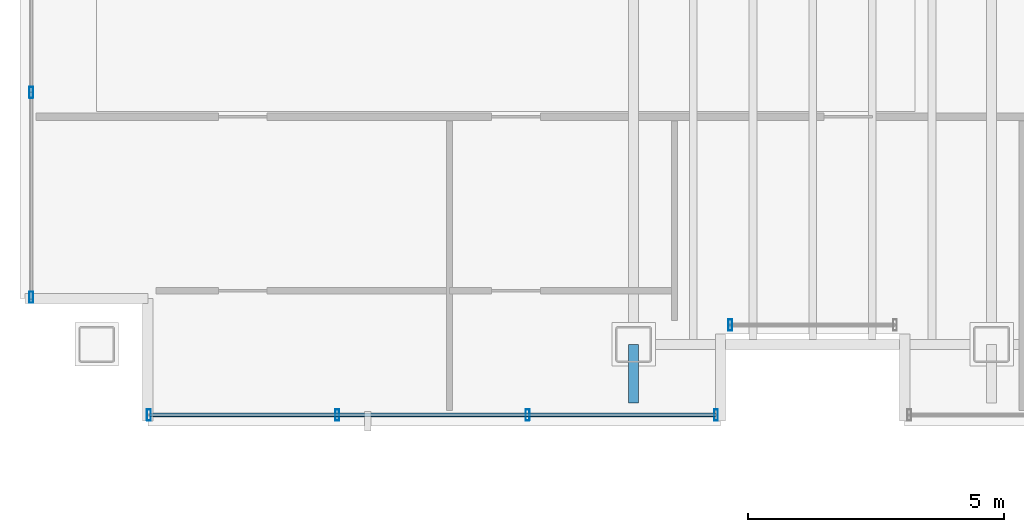
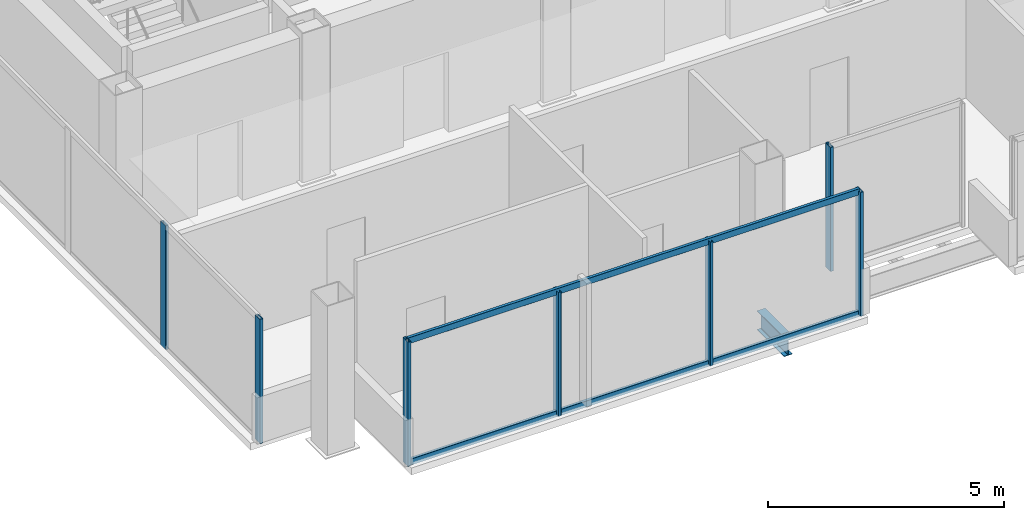
# One storey, part 2 of 17: 9 members, 1 beam, 3 elements without a shape of their own.
"""IFC4 building model written with IfcOpenShell, lengths in metres."""

from ifc_helpers import new_model, si_unit, direction, frame, origin, origin_2d, place, context, subcontext, project, spatial, hollow_rectangle, i_section, extrude, material, material_profile, profile_set, type_object, element, aggregate, save


model = new_model("IFC4")

# Units and contexts
model_context = context("Model", 3, precision=1e-05, world=origin(), true_north=direction((0.0, 1.0)))
body_context = subcontext(model_context, "Body", "Model", "MODEL_VIEW")
ifc_project = project(units=[si_unit("LENGTHUNIT", "METRE"), si_unit("AREAUNIT", "SQUARE_METRE"), si_unit("VOLUMEUNIT", "CUBIC_METRE"), si_unit("PLANEANGLEUNIT", "RADIAN"), si_unit("MASSUNIT", "GRAM", prefix="KILO")], contexts=[model_context])

# Site, building, storey
site_placement = place(None, origin())
site = spatial("IfcSite", under=ifc_project, at=site_placement, CompositionType="ELEMENT")
building_placement = place(site_placement, origin())
building = spatial("IfcBuilding", under=site, at=building_placement, Name="Noeulbin Bourse Tower", CompositionType="ELEMENT")
storey_placement = place(building_placement, frame((0.0, 0.0, 293.0)))
storey = spatial("IfcBuildingStorey", under=building, at=storey_placement, Name="L73", CompositionType="ELEMENT", Elevation=293.0)

# Beam
ifc_material_1 = material(Name="Steel S355", Category="steel")
ifc_material_profile_1 = material_profile(ifc_material_1, i_section(OverallWidth=0.199951171875, OverallDepth=0.5, WebThickness=0.010009765625, FlangeThickness=0.01611328125, FilletRadius=0.02001953125, at=origin_2d()), Name="H-500x200x10x16", Category="LoadBearing")
ifc_profile_set_1 = profile_set([ifc_material_profile_1], Name="Steel S355")
beam_type = type_object("IfcBeamType", Name="BM-GRD-500", PredefinedType="USERDEFINED", material=ifc_profile_set_1)
beam_placement = place(storey_placement, frame((24.0, 18.85009765625, -0.429931640625), z_axis=(0.0, 1.0, 0.0), x_axis=(-1.0, 0.0, 0.0)))
element("IfcBeam", 1, at=beam_placement, inside=storey, type_object=beam_type, Name="Tower Primary Girder NS L73-2.1", ObjectType="GIRDER", PredefinedType="USERDEFINED", context=body_context, shape_type="SweptSolid", body=[
    extrude(i_section(OverallWidth=0.199951171875, OverallDepth=0.5, WebThickness=0.010009765625, FlangeThickness=0.01611328125, FilletRadius=0.02001953125, at=origin_2d()), origin(), (0.0, 0.0, 1.0), 1.14990234375),
])

# Curtain wall, member
ifc_material_2 = material(Name="High-Selectivity Low-Iron Glazing", Category="glass")
curtain_wall_type = type_object("IfcCurtainWallType", Name="CW-SYS-4", PredefinedType="NOTDEFINED", material=ifc_material_2)
curtain_wall_1_placement = place(storey_placement, origin())
curtain_wall_1 = element("IfcCurtainWall", 2, at=curtain_wall_1_placement, inside=storey, type_object=curtain_wall_type, Name="Unitised Curtain Wall CW-L73-SREC", PredefinedType="NOTDEFINED")
ifc_material_3 = material(Name="Anodised Aluminium 6063-T6", Category="aluminium")
ifc_material_profile_2 = material_profile(ifc_material_3, hollow_rectangle(XDim=0.074951171875, YDim=0.219970703125, WallThickness=0.0048828125, InnerFilletRadius=0.00244140625, OuterFilletRadius=0.0048828125, at=origin_2d()), Name="ALU-MULL-75x220x5", Category="LoadBearing")
ifc_profile_set_2 = profile_set([ifc_material_profile_2], Name="Anodised Aluminium 6063-T6")
member_type_1 = type_object("IfcMemberType", Name="CW-SYS-4-MUL", PredefinedType="MULLION", material=ifc_profile_set_2)
member_1_placement = place(storey_placement, frame((25.889892578125, 20.3798828125, -0.02001953125), z_axis=(0.0, 0.0, 1.0), x_axis=(1.0, 0.0, 0.0)))
member_1 = element("IfcMember", 3, at=member_1_placement, type_object=member_type_1, Name="Curtain Wall Mullion CW-L73-SREC-M00", PredefinedType="MULLION", context=body_context, shape_type="SweptSolid", body=[
    extrude(hollow_rectangle(XDim=0.074951171875, YDim=0.219970703125, WallThickness=0.0048828125, InnerFilletRadius=0.00244140625, OuterFilletRadius=0.0048828125, at=origin_2d()), origin(), (0.0, 0.0, 1.0), 3.219970703125),
])
aggregate(curtain_wall_1, [member_1])

# Curtain wall, members
curtain_wall_2_placement = place(storey_placement, origin())
curtain_wall_2 = element("IfcCurtainWall", 4, at=curtain_wall_2_placement, inside=storey, type_object=curtain_wall_type, Name="Unitised Curtain Wall CW-L73-S1", PredefinedType="NOTDEFINED")
member_2_placement = place(storey_placement, frame((14.52001953125, 18.6201171875, -0.02001953125), z_axis=(0.0, 0.0, 1.0), x_axis=(1.0, 0.0, 0.0)))
member_2 = element("IfcMember", 5, at=member_2_placement, type_object=member_type_1, Name="Curtain Wall Mullion CW-L73-S1-M00", PredefinedType="MULLION", context=body_context, shape_type="SweptSolid", body=[
    extrude(hollow_rectangle(XDim=0.074951171875, YDim=0.219970703125, WallThickness=0.0048828125, InnerFilletRadius=0.00244140625, OuterFilletRadius=0.0048828125, at=origin_2d()), origin(), (0.0, 0.0, 1.0), 3.219970703125),
])
member_3_placement = place(storey_placement, frame((18.203369140625, 18.6201171875, -0.02001953125), z_axis=(0.0, 0.0, 1.0), x_axis=(1.0, 0.0, 0.0)))
member_3 = element("IfcMember", 6, at=member_3_placement, type_object=member_type_1, Name="Curtain Wall Mullion CW-L73-S1-M01", PredefinedType="MULLION", context=body_context, shape_type="SweptSolid", body=[
    extrude(hollow_rectangle(XDim=0.074951171875, YDim=0.219970703125, WallThickness=0.0048828125, InnerFilletRadius=0.00244140625, OuterFilletRadius=0.0048828125, at=origin_2d()), origin(), (0.0, 0.0, 1.0), 3.219970703125),
])
member_4_placement = place(storey_placement, frame((21.9267578125, 18.6201171875, -0.02001953125), z_axis=(0.0, 0.0, 1.0), x_axis=(1.0, 0.0, 0.0)))
member_4 = element("IfcMember", 7, at=member_4_placement, type_object=member_type_1, Name="Curtain Wall Mullion CW-L73-S1-M02", PredefinedType="MULLION", context=body_context, shape_type="SweptSolid", body=[
    extrude(hollow_rectangle(XDim=0.074951171875, YDim=0.219970703125, WallThickness=0.0048828125, InnerFilletRadius=0.00244140625, OuterFilletRadius=0.0048828125, at=origin_2d()), origin(), (0.0, 0.0, 1.0), 3.219970703125),
])
member_5_placement = place(storey_placement, frame((25.610107421875, 18.6201171875, -0.02001953125), z_axis=(0.0, 0.0, 1.0), x_axis=(1.0, 0.0, 0.0)))
member_5 = element("IfcMember", 8, at=member_5_placement, type_object=member_type_1, Name="Curtain Wall Mullion CW-L73-S1-M03", PredefinedType="MULLION", context=body_context, shape_type="SweptSolid", body=[
    extrude(hollow_rectangle(XDim=0.074951171875, YDim=0.219970703125, WallThickness=0.0048828125, InnerFilletRadius=0.00244140625, OuterFilletRadius=0.0048828125, at=origin_2d()), origin(), (0.0, 0.0, 1.0), 3.219970703125),
])

curtain_wall_3_placement = place(storey_placement, origin())
curtain_wall_3 = element("IfcCurtainWall", 9, at=curtain_wall_3_placement, inside=storey, type_object=curtain_wall_type, Name="Unitised Curtain Wall CW-L73-W", PredefinedType="NOTDEFINED")
member_6_placement = place(storey_placement, frame((12.219970703125, 20.919921875, -0.02001953125), z_axis=(0.0, 0.0, 1.0), x_axis=(1.0, 0.0, 0.0)))
member_6 = element("IfcMember", 10, at=member_6_placement, type_object=member_type_1, Name="Curtain Wall Mullion CW-L73-W-M00", PredefinedType="MULLION", context=body_context, shape_type="SweptSolid", body=[
    extrude(hollow_rectangle(XDim=0.074951171875, YDim=0.219970703125, WallThickness=0.0048828125, InnerFilletRadius=0.00244140625, OuterFilletRadius=0.0048828125, at=origin_2d()), origin(), (0.0, 0.0, 1.0), 3.219970703125),
])
member_7_placement = place(storey_placement, frame((12.219970703125, 24.927978515625, -0.02001953125), z_axis=(0.0, 0.0, 1.0), x_axis=(1.0, 0.0, 0.0)))
member_7 = element("IfcMember", 11, at=member_7_placement, type_object=member_type_1, Name="Curtain Wall Mullion CW-L73-W-M01", PredefinedType="MULLION", context=body_context, shape_type="SweptSolid", body=[
    extrude(hollow_rectangle(XDim=0.074951171875, YDim=0.219970703125, WallThickness=0.0048828125, InnerFilletRadius=0.00244140625, OuterFilletRadius=0.0048828125, at=origin_2d()), origin(), (0.0, 0.0, 1.0), 3.219970703125),
])
aggregate(curtain_wall_3, [member_6, member_7])

# Member
ifc_material_profile_3 = material_profile(ifc_material_3, hollow_rectangle(XDim=0.074951171875, YDim=0.159912109375, WallThickness=0.0048828125, InnerFilletRadius=0.00244140625, OuterFilletRadius=0.0048828125, at=origin_2d()), Name="ALU-TRAN-75x160x5", Category="LoadBearing")
ifc_profile_set_3 = profile_set([ifc_material_profile_3], Name="Anodised Aluminium 6063-T6")
member_type_2 = type_object("IfcMemberType", Name="CW-SYS-4-TRN", PredefinedType="USERDEFINED", material=ifc_profile_set_3)
member_8_placement = place(storey_placement, frame((14.530029296875, 18.6201171875, 0.010009765625), z_axis=(1.0, 0.0, 0.0), x_axis=(0.0, 1.0, 0.0)))
member_8 = element("IfcMember", 12, at=member_8_placement, type_object=member_type_2, Name="Curtain Wall Transom CW-L73-S1-T00", ObjectType="TRANSOM", PredefinedType="USERDEFINED", context=body_context, shape_type="SweptSolid", body=[
    extrude(hollow_rectangle(XDim=0.074951171875, YDim=0.159912109375, WallThickness=0.0048828125, InnerFilletRadius=0.00244140625, OuterFilletRadius=0.0048828125, at=origin_2d()), origin(), (0.0, 0.0, 1.0), 11.070068359375),
])

member_9_placement = place(storey_placement, frame((14.530029296875, 18.6201171875, 3.169921875), z_axis=(1.0, 0.0, 0.0), x_axis=(0.0, 1.0, 0.0)))
member_9 = element("IfcMember", 13, at=member_9_placement, type_object=member_type_2, Name="Curtain Wall Transom CW-L73-S1-T01", ObjectType="TRANSOM", PredefinedType="USERDEFINED", context=body_context, shape_type="SweptSolid", body=[
    extrude(hollow_rectangle(XDim=0.074951171875, YDim=0.159912109375, WallThickness=0.0048828125, InnerFilletRadius=0.00244140625, OuterFilletRadius=0.0048828125, at=origin_2d()), origin(), (0.0, 0.0, 1.0), 11.070068359375),
])

aggregate(curtain_wall_2, [member_2, member_3, member_4, member_5, member_8, member_9])

save(model, "model.ifc")
